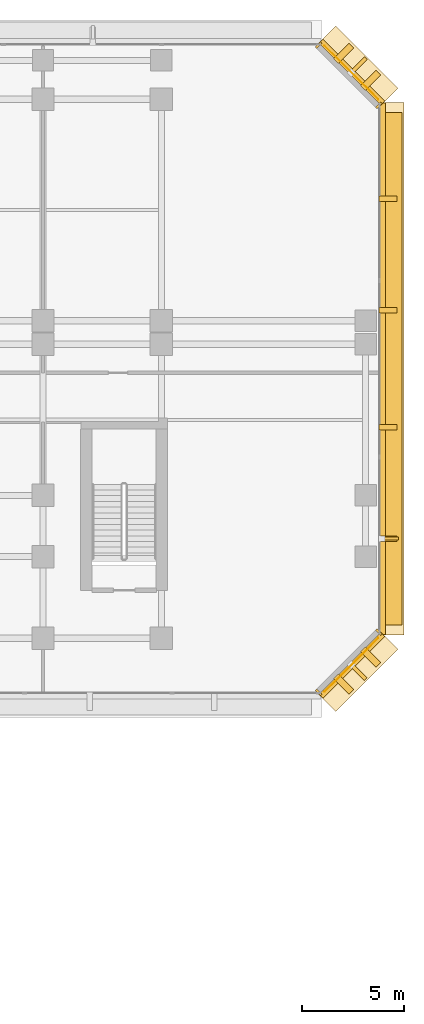
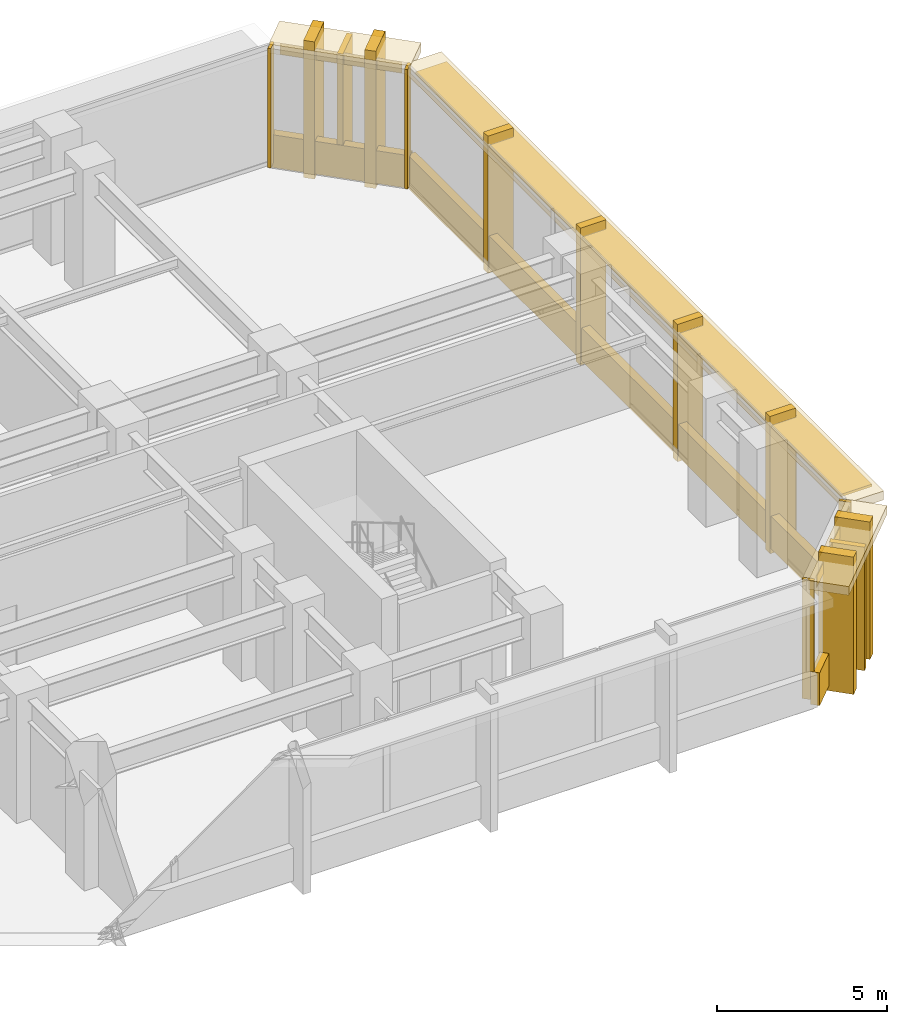
# One storey, part 16 of 16: 20 coverings, 4 shading devices.
"""IFC4 building model written with IfcOpenShell, lengths in metres."""

from ifc_helpers import new_model, si_unit, direction, frame, origin, origin_2d, place, context, subcontext, project, spatial, rectangle, extrude, material, layer, layer_set, material_profile, profile_set, type_object, element, save


model = new_model("IFC4")

# Units and contexts
model_context = context("Model", 3, precision=1e-05, world=origin(), true_north=direction((0.0, 1.0)))
body_context = subcontext(model_context, "Body", "Model", "MODEL_VIEW")
ifc_project = project(units=[si_unit("LENGTHUNIT", "METRE"), si_unit("AREAUNIT", "SQUARE_METRE"), si_unit("VOLUMEUNIT", "CUBIC_METRE"), si_unit("PLANEANGLEUNIT", "RADIAN"), si_unit("MASSUNIT", "GRAM", prefix="KILO")], contexts=[model_context])

# Site, building, storey
site_placement = place(None, origin())
site = spatial("IfcSite", under=ifc_project, at=site_placement, CompositionType="ELEMENT")
building_placement = place(site_placement, origin())
building = spatial("IfcBuilding", under=site, at=building_placement, Name="Kefirva Bronze Tower", CompositionType="ELEMENT")
storey_placement = place(building_placement, frame((0.0, 0.0, 16.5)))
storey = spatial("IfcBuildingStorey", under=building, at=storey_placement, Name="L03", CompositionType="ELEMENT", Elevation=16.5)

# Coverings
ifc_material = material(Name="Bronze anodised aluminium", Category="aluminium")
ifc_layer_1 = layer(ifc_material, 0.02001953125, Name="Bronze anodised aluminium")
ifc_layer_set_1 = layer_set([ifc_layer_1], Name="Bronze anodised aluminium")
covering_type_1 = type_object("IfcCoveringType", Name="Anodised Bronze Spandrel Cladding 20mm", PredefinedType="CLADDING", material=ifc_layer_set_1)
covering_1_placement = place(storey_placement, frame((64.507080078125, 17.492919921875, 3.880126953125), z_axis=(0.0, 0.0, 1.0), x_axis=(0.707106781187, 0.707106781187, 0.0)))
element("IfcCovering", 1, at=covering_1_placement, inside=storey, type_object=covering_type_1, Name="L03 Bronze Spandrel Cladding 4", PredefinedType="CLADDING", context=body_context, shape_type="SweptSolid", body=[
    extrude(rectangle(XDim=3.719482421875, YDim=0.02001953125, at=origin_2d()), origin(), (0.0, 0.0, 1.0), 0.39990234375),
])
for number, where, z_axis, x_axis, name in (
    (2, (62.8974609375, 16.152099609375, 0.0), (0.0, 0.0, 1.0), (0.707106781187, 0.707106781187, 0.0), "L03 Facade Joint Closure Panel 4S"),
    (3, (65.847900390625, 19.1025390625, 0.0), (0.0, 0.0, 1.0), (0.707106781187, 0.707106781187, 0.0), "L03 Facade Joint Closure Panel 4E"),
):
    element("IfcCovering", number, at=place(storey_placement, frame(where, z_axis=z_axis, x_axis=x_axis)), inside=storey, type_object=covering_type_1, Name=name, PredefinedType="CLADDING", context=body_context, shape_type="SweptSolid", body=[
        extrude(rectangle(XDim=0.10009765625, YDim=0.360107421875, at=origin_2d()), origin(), (0.0, 0.0, 1.0), 4.300048828125),
    ])
covering_2_placement = place(storey_placement, frame((64.5283203125, 17.4716796875, -0.16015625), z_axis=(0.0, 0.0, 1.0), x_axis=(0.707106781187, 0.707106781187, 0.0)))
element("IfcCovering", 4, at=covering_2_placement, inside=storey, type_object=covering_type_1, Name="L03 Streamline Horizontal Spandrel Band 5", PredefinedType="CLADDING", context=body_context, shape_type="SweptSolid", body=[
    extrude(rectangle(XDim=4.28271484375, YDim=0.280029296875, at=origin_2d()), origin(), (0.0, 0.0, 1.0), 1.179931640625),
])
covering_3_placement = place(storey_placement, frame((66.0400390625, 32.0, -0.16015625), z_axis=(0.0, 0.0, 1.0), x_axis=(0.0, 1.0, 0.0)))
element("IfcCovering", 5, at=covering_3_placement, inside=storey, type_object=covering_type_1, Name="L03 Streamline Horizontal Spandrel Band 6", PredefinedType="CLADDING", context=body_context, shape_type="SweptSolid", body=[
    extrude(rectangle(XDim=26.0400390625, YDim=0.280029296875, at=origin_2d()), origin(), (0.0, 0.0, 1.0), 1.179931640625),
])
covering_4_placement = place(storey_placement, frame((64.507080078125, 46.507080078125, 3.880126953125), z_axis=(0.0, 0.0, 1.0), x_axis=(-0.707106781187, 0.707106781187, 0.0)))
element("IfcCovering", 6, at=covering_4_placement, inside=storey, type_object=covering_type_1, Name="L03 Bronze Spandrel Cladding 5", PredefinedType="CLADDING", context=body_context, shape_type="SweptSolid", body=[
    extrude(rectangle(XDim=3.719482421875, YDim=0.02001953125, at=origin_2d()), origin(), (0.0, 0.0, 1.0), 0.39990234375),
])
for number, where, z_axis, x_axis, name in (
    (7, (65.847900390625, 44.8974609375, 0.0), (0.0, 0.0, 1.0), (-0.707106781187, 0.707106781187, 0.0), "L03 Facade Joint Closure Panel 5S"),
    (8, (62.8974609375, 47.847900390625, 0.0), (0.0, 0.0, 1.0), (-0.707106781187, 0.707106781187, 0.0), "L03 Facade Joint Closure Panel 5E"),
):
    element("IfcCovering", number, at=place(storey_placement, frame(where, z_axis=z_axis, x_axis=x_axis)), inside=storey, type_object=covering_type_1, Name=name, PredefinedType="CLADDING", context=body_context, shape_type="SweptSolid", body=[
        extrude(rectangle(XDim=0.10009765625, YDim=0.360107421875, at=origin_2d()), origin(), (0.0, 0.0, 1.0), 4.300048828125),
    ])
covering_5_placement = place(storey_placement, frame((64.5283203125, 46.5283203125, -0.16015625), z_axis=(0.0, 0.0, 1.0), x_axis=(-0.707106781187, 0.707106781187, 0.0)))
element("IfcCovering", 9, at=covering_5_placement, inside=storey, type_object=covering_type_1, Name="L03 Streamline Horizontal Spandrel Band 7", PredefinedType="CLADDING", context=body_context, shape_type="SweptSolid", body=[
    extrude(rectangle(XDim=4.28271484375, YDim=0.280029296875, at=origin_2d()), origin(), (0.0, 0.0, 1.0), 1.179931640625),
])

# Shading devices
ifc_material_profile_1 = material_profile(ifc_material, rectangle(XDim=0.179931640625, YDim=1.080078125, at=origin_2d()), Name="BRONZE BUTTRESS FIN 180x1080")
ifc_profile_set_1 = profile_set([ifc_material_profile_1], Name="Bronze anodised aluminium")
shading_device_type_1 = type_object("IfcShadingDeviceType", Name="Chamfered Corner Buttress Bronze Fin 1080mm", PredefinedType="USERDEFINED", material=ifc_profile_set_1)
for number, where, z_axis, x_axis, name in (
    (10, (64.8251953125, 17.1748046875, -0.139892578125), (0.0, 0.0, 1.0), (0.707106781187, 0.707106781187, 0.0), "L03 Chamfered Corner Buttress Fin 16"),
    (11, (64.8251953125, 46.8251953125, -0.139892578125), (0.0, 0.0, 1.0), (-0.707106781187, 0.707106781187, 0.0), "L03 Chamfered Corner Buttress Fin 22"),
):
    element("IfcShadingDevice", number, at=place(storey_placement, frame(where, z_axis=z_axis, x_axis=x_axis)), inside=storey, type_object=shading_device_type_1, Name=name, ObjectType="VERTICAL FIN", PredefinedType="USERDEFINED", context=body_context, shape_type="SweptSolid", body=[
        extrude(rectangle(XDim=0.179931640625, YDim=1.080078125, at=origin_2d()), origin(), (0.0, 0.0, 1.0), 4.43994140625),
    ])
ifc_layer_2 = layer(ifc_material, 0.1201171875, Name="Bronze anodised aluminium")
ifc_layer_set_2 = layer_set([ifc_layer_2], Name="Bronze anodised aluminium")
shading_device_type_2 = type_object("IfcShadingDeviceType", Name="Podium Deep Bronze Canopy Sunshade 1050mm", PredefinedType="JALOUSIE", material=ifc_layer_set_2)
shading_device_1_placement = place(storey_placement, frame((66.445068359375, 32.0, 4.19482421875), z_axis=(0.0, 0.0, 1.0), x_axis=(0.0, 1.0, 0.0)))
element("IfcShadingDevice", 12, at=shading_device_1_placement, inside=storey, type_object=shading_device_type_2, Name="L03 Horizontal Bronze Sunshade Band 6", PredefinedType="JALOUSIE", context=body_context, shape_type="SweptSolid", body=[
    extrude(rectangle(XDim=25.090087890625, YDim=1.050048828125, at=origin_2d()), origin(), (0.0, 0.0, 1.0), 0.090087890625),
])

# Coverings
ifc_layer_3 = layer(ifc_material, 0.179931640625, Name="Bronze anodised aluminium")
ifc_layer_set_3 = layer_set([ifc_layer_3], Name="Bronze anodised aluminium")
covering_type_2 = type_object("IfcCoveringType", Name="Streamline Bronze Sunshade Eyebrow Cladding 180mm", PredefinedType="CLADDING", material=ifc_layer_set_3)
covering_6_placement = place(storey_placement, frame((64.8251953125, 17.1748046875, 3.97998046875), z_axis=(0.0, 0.0, 1.0), x_axis=(0.707106781187, 0.707106781187, 0.0)))
element("IfcCovering", 13, at=covering_6_placement, inside=storey, type_object=covering_type_2, Name="L03 Streamline Bronze Sunshade Eyebrow 5", PredefinedType="CLADDING", context=body_context, shape_type="SweptSolid", body=[
    extrude(rectangle(XDim=4.322509765625, YDim=1.239990234375, at=origin_2d()), origin(), (0.0, 0.0, 1.0), 0.320068359375),
])
covering_7_placement = place(storey_placement, frame((66.4599609375, 32.0, 3.97998046875), z_axis=(0.0, 0.0, 1.0), x_axis=(0.0, 1.0, 0.0)))
element("IfcCovering", 14, at=covering_7_placement, inside=storey, type_object=covering_type_2, Name="L03 Streamline Bronze Sunshade Eyebrow 6", PredefinedType="CLADDING", context=body_context, shape_type="SweptSolid", body=[
    extrude(rectangle(XDim=26.080078125, YDim=1.239990234375, at=origin_2d()), origin(), (0.0, 0.0, 1.0), 0.320068359375),
])
covering_8_placement = place(storey_placement, frame((64.8251953125, 46.8251953125, 3.97998046875), z_axis=(0.0, 0.0, 1.0), x_axis=(-0.707106781187, 0.707106781187, 0.0)))
element("IfcCovering", 15, at=covering_8_placement, inside=storey, type_object=covering_type_2, Name="L03 Streamline Bronze Sunshade Eyebrow 7", PredefinedType="CLADDING", context=body_context, shape_type="SweptSolid", body=[
    extrude(rectangle(XDim=4.322509765625, YDim=1.239990234375, at=origin_2d()), origin(), (0.0, 0.0, 1.0), 0.320068359375),
])
ifc_layer_4 = layer(ifc_material, 0.260009765625, Name="Bronze anodised aluminium")
ifc_layer_set_4 = layer_set([ifc_layer_4], Name="Bronze anodised aluminium")
covering_type_3 = type_object("IfcCoveringType", Name="Unbroken Bronze Buttress Fin Cladding 260mm", PredefinedType="CLADDING", material=ifc_layer_set_4)
for number, where, z_axis, x_axis, name in (
    (16, (64.122802734375, 16.55712890625, -0.320068359375), (0.0, 0.0, 1.0), (0.707106781187, 0.707106781187, 0.0), "L03 Chamfered Corner Buttress Fin Cladding 15"),
    (17, (65.44287109375, 17.877197265625, -0.320068359375), (0.0, 0.0, 1.0), (0.707106781187, 0.707106781187, 0.0), "L03 Chamfered Corner Buttress Fin Cladding 16"),
):
    element("IfcCovering", number, at=place(storey_placement, frame(where, z_axis=z_axis, x_axis=x_axis)), inside=storey, type_object=covering_type_3, Name=name, PredefinedType="CLADDING", context=body_context, shape_type="SweptSolid", body=[
        extrude(rectangle(XDim=0.340087890625, YDim=1.080078125, at=origin_2d()), origin(), (0.0, 0.0, 1.0), 4.93994140625),
    ])
for number, where, z_axis, x_axis, name in (
    (18, (66.300048828125, 23.679931640625, -0.320068359375), (0.0, 0.0, 1.0), (0.0, 1.0, 0.0), "L03 Unbroken Vertical Bronze Rib Fin 17"),
    (19, (66.300048828125, 29.139892578125, -0.320068359375), (0.0, 0.0, 1.0), (0.0, 1.0, 0.0), "L03 Unbroken Vertical Bronze Rib Fin 18"),
    (20, (66.300048828125, 34.860107421875, -0.320068359375), (0.0, 0.0, 1.0), (0.0, 1.0, 0.0), "L03 Unbroken Vertical Bronze Rib Fin 19"),
    (21, (66.300048828125, 40.320068359375, -0.320068359375), (0.0, 0.0, 1.0), (0.0, 1.0, 0.0), "L03 Unbroken Vertical Bronze Rib Fin 20"),
):
    element("IfcCovering", number, at=place(storey_placement, frame(where, z_axis=z_axis, x_axis=x_axis)), inside=storey, type_object=covering_type_3, Name=name, PredefinedType="CLADDING", context=body_context, shape_type="SweptSolid", body=[
        extrude(rectangle(XDim=0.260009765625, YDim=0.8798828125, at=origin_2d()), origin(), (0.0, 0.0, 1.0), 4.93994140625),
    ])
for number, where, z_axis, x_axis, name in (
    (22, (65.44287109375, 46.122802734375, -0.320068359375), (0.0, 0.0, 1.0), (-0.707106781187, 0.707106781187, 0.0), "L03 Chamfered Corner Buttress Fin Cladding 21"),
    (23, (64.122802734375, 47.44287109375, -0.320068359375), (0.0, 0.0, 1.0), (-0.707106781187, 0.707106781187, 0.0), "L03 Chamfered Corner Buttress Fin Cladding 22"),
):
    element("IfcCovering", number, at=place(storey_placement, frame(where, z_axis=z_axis, x_axis=x_axis)), inside=storey, type_object=covering_type_3, Name=name, PredefinedType="CLADDING", context=body_context, shape_type="SweptSolid", body=[
        extrude(rectangle(XDim=0.340087890625, YDim=1.080078125, at=origin_2d()), origin(), (0.0, 0.0, 1.0), 4.93994140625),
    ])

# Shading device
ifc_material_profile_2 = material_profile(ifc_material, rectangle(XDim=0.139892578125, YDim=0.8798828125, at=origin_2d()), Name="BRONZE FIN 140x880")
ifc_profile_set_2 = profile_set([ifc_material_profile_2], Name="Bronze anodised aluminium")
shading_device_type_3 = type_object("IfcShadingDeviceType", Name="Unbroken Vertical Bronze Facade Fin 880mm", PredefinedType="USERDEFINED", material=ifc_profile_set_2)
shading_device_2_placement = place(storey_placement, frame((66.360107421875, 23.679931640625, -0.139892578125), z_axis=(0.0, 0.0, 1.0), x_axis=(0.0, 1.0, 0.0)))
element("IfcShadingDevice", 24, at=shading_device_2_placement, inside=storey, type_object=shading_device_type_3, Name="L03 Vertical Bronze Rib Fin 17", ObjectType="VERTICAL FIN", PredefinedType="USERDEFINED", context=body_context, shape_type="SweptSolid", body=[
    extrude(rectangle(XDim=0.139892578125, YDim=0.8798828125, at=origin_2d()), origin(), (0.0, 0.0, 1.0), 4.43994140625),
])

save(model, "model.ifc")
